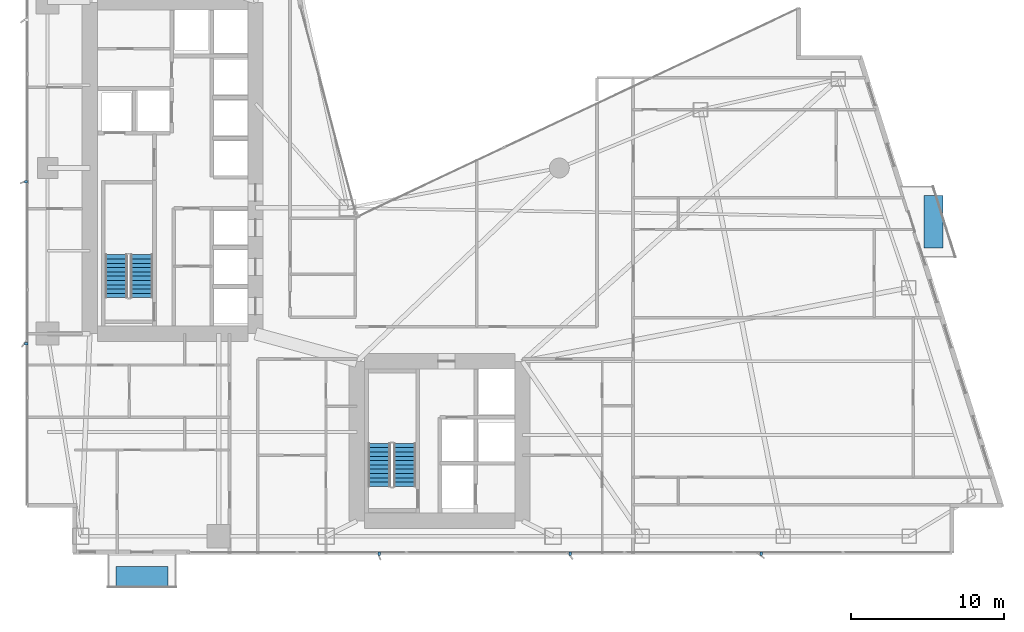
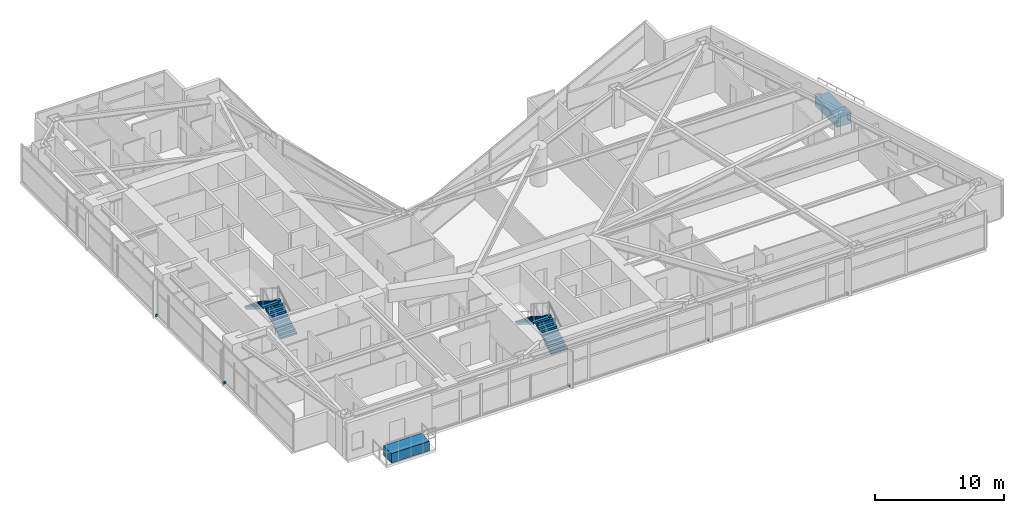
# One storey, part 25 of 28: 7 discrete accessories, 4 stair flights, 2 elements without a shape of their own.
"""IFC4 building model written with IfcOpenShell, lengths in metres."""

from ifc_helpers import new_model, si_unit, direction, frame, origin, origin_2d, place, context, subcontext, project, spatial, polyline, rectangle, outline, extrude, material, type_object, element, aggregate, save


model = new_model("IFC4")

# Units and contexts
model_context = context("Model", 3, precision=1e-05, world=origin(), true_north=direction((0.0, 1.0)))
body_context = subcontext(model_context, "Body", "Model", "MODEL_VIEW")
ifc_project = project(units=[si_unit("LENGTHUNIT", "METRE"), si_unit("AREAUNIT", "SQUARE_METRE"), si_unit("VOLUMEUNIT", "CUBIC_METRE"), si_unit("PLANEANGLEUNIT", "RADIAN"), si_unit("MASSUNIT", "GRAM", prefix="KILO")], contexts=[model_context])

# Site, building, storey
site_placement = place(None, origin())
site = spatial("IfcSite", under=ifc_project, at=site_placement, CompositionType="ELEMENT")
building_placement = place(site_placement, origin())
building = spatial("IfcBuilding", under=site, at=building_placement, Name="Calvorn Quay Hotel", CompositionType="ELEMENT")
storey_placement = place(building_placement, frame((0.0, 0.0, 42.199951171875)))
storey = spatial("IfcBuildingStorey", under=building, at=storey_placement, Name="L09", CompositionType="ELEMENT", Elevation=42.199951171875)

# Stair, stair flights
ifc_material_1 = material(Name="Concrete C40", Category="concrete")
stair_type = type_object("IfcStairType", Name="STR-CORE-DOGLEG", PredefinedType="HALF_TURN_STAIR", material=ifc_material_1)
stair_1_placement = place(storey_placement, origin())
stair_1 = element("IfcStair", 1, at=stair_1_placement, inside=storey, type_object=stair_type, Name="L09 ST-W", PredefinedType="HALF_TURN_STAIR")
ifc_material_2 = material(Name="Concrete C40", Category="concrete")
stair_flight_type = type_object("IfcStairFlightType", Name="FLT-CORE-1550", PredefinedType="STRAIGHT", material=ifc_material_2)
stair_flight_1_placement = place(storey_placement, frame((7.574951171875, 19.14990234375, 0.0), z_axis=(0.0, 0.0, 1.0), x_axis=(0.0, 1.0, 0.0)))
stair_flight_1 = element("IfcStairFlight", 2, at=stair_flight_1_placement, type_object=stair_flight_type, Name="ST-W flight 1", NumberOfRisers=11, NumberOfTreads=10, PredefinedType="STRAIGHT", RiserHeight=0.172727273, TreadLength=0.28, context=body_context, shape_type="SweptSolid", body=[
    extrude(outline(polyline([(0.0, 0.0), (0.0, 0.172607421875), (0.280029296875, 0.172607421875), (0.280029296875, 0.345458984375), (0.56005859375, 0.345458984375), (0.56005859375, 0.51806640625), (0.840087890625, 0.51806640625), (0.840087890625, 0.69091796875), (1.1201171875, 0.69091796875), (1.1201171875, 0.863525390625), (1.39990234375, 0.863525390625), (1.39990234375, 1.036376953125), (1.679931640625, 1.036376953125), (1.679931640625, 1.208984375), (1.9599609375, 1.208984375), (1.9599609375, 1.3818359375), (2.239990234375, 1.3818359375), (2.239990234375, 1.554443359375), (2.52001953125, 1.554443359375), (2.52001953125, 1.727294921875), (2.800048828125, 1.727294921875), (2.800048828125, 1.89990234375), (2.800048828125, 1.551025390625), (0.285400390625, 0.0), (0.0, 0.0)])), frame((0.0, 0.72509765625, 0.0), z_axis=(0.0, -1.0, 0.0), x_axis=(1.0, 0.0, 0.0)), (0.0, 0.0, 1.0), 1.449951171875),
])
stair_flight_2_placement = place(storey_placement, frame((5.925048828125, 21.949951171875, 1.900146484375), z_axis=(0.0, 0.0, 1.0), x_axis=(0.0, -1.0, 0.0)))
stair_flight_2 = element("IfcStairFlight", 3, at=stair_flight_2_placement, type_object=stair_flight_type, Name="ST-W flight 2", NumberOfRisers=11, NumberOfTreads=10, PredefinedType="STRAIGHT", RiserHeight=0.172727273, TreadLength=0.28, context=body_context, shape_type="SweptSolid", body=[
    extrude(outline(polyline([(0.0, 0.0), (0.0, 0.172607421875), (0.280029296875, 0.172607421875), (0.280029296875, 0.345458984375), (0.56005859375, 0.345458984375), (0.56005859375, 0.51806640625), (0.840087890625, 0.51806640625), (0.840087890625, 0.69091796875), (1.1201171875, 0.69091796875), (1.1201171875, 0.863525390625), (1.39990234375, 0.863525390625), (1.39990234375, 1.036376953125), (1.679931640625, 1.036376953125), (1.679931640625, 1.208984375), (1.9599609375, 1.208984375), (1.9599609375, 1.3818359375), (2.239990234375, 1.3818359375), (2.239990234375, 1.554443359375), (2.52001953125, 1.554443359375), (2.52001953125, 1.727294921875), (2.800048828125, 1.727294921875), (2.800048828125, 1.89990234375), (2.800048828125, 1.551025390625), (0.285400390625, 0.0), (0.0, 0.0)])), frame((0.0, 0.72509765625, 0.0), z_axis=(0.0, -1.0, 0.0), x_axis=(1.0, 0.0, 0.0)), (0.0, 0.0, 1.0), 1.449951171875),
])
aggregate(stair_1, [stair_flight_1, stair_flight_2])

stair_2_placement = place(storey_placement, origin())
stair_2 = element("IfcStair", 4, at=stair_2_placement, inside=storey, type_object=stair_type, Name="L09 ST-E", PredefinedType="HALF_TURN_STAIR")
stair_flight_3_placement = place(storey_placement, frame((24.72509765625, 6.85009765625, 0.0), z_axis=(0.0, 0.0, 1.0), x_axis=(0.0, 1.0, 0.0)))
stair_flight_3 = element("IfcStairFlight", 5, at=stair_flight_3_placement, type_object=stair_flight_type, Name="ST-E flight 1", NumberOfRisers=11, NumberOfTreads=10, PredefinedType="STRAIGHT", RiserHeight=0.172727273, TreadLength=0.28, context=body_context, shape_type="SweptSolid", body=[
    extrude(outline(polyline([(0.0, 0.0), (0.0, 0.172607421875), (0.280029296875, 0.172607421875), (0.280029296875, 0.345458984375), (0.56005859375, 0.345458984375), (0.56005859375, 0.51806640625), (0.840087890625, 0.51806640625), (0.840087890625, 0.69091796875), (1.1201171875, 0.69091796875), (1.1201171875, 0.863525390625), (1.39990234375, 0.863525390625), (1.39990234375, 1.036376953125), (1.679931640625, 1.036376953125), (1.679931640625, 1.208984375), (1.9599609375, 1.208984375), (1.9599609375, 1.3818359375), (2.239990234375, 1.3818359375), (2.239990234375, 1.554443359375), (2.52001953125, 1.554443359375), (2.52001953125, 1.727294921875), (2.800048828125, 1.727294921875), (2.800048828125, 1.89990234375), (2.800048828125, 1.551025390625), (0.285400390625, 0.0), (0.0, 0.0)])), frame((0.0, 0.72509765625, 0.0), z_axis=(0.0, -1.0, 0.0), x_axis=(1.0, 0.0, 0.0)), (0.0, 0.0, 1.0), 1.449951171875),
])
stair_flight_4_placement = place(storey_placement, frame((23.074951171875, 9.64990234375, 1.900146484375), z_axis=(0.0, 0.0, 1.0), x_axis=(0.0, -1.0, 0.0)))
stair_flight_4 = element("IfcStairFlight", 6, at=stair_flight_4_placement, type_object=stair_flight_type, Name="ST-E flight 2", NumberOfRisers=11, NumberOfTreads=10, PredefinedType="STRAIGHT", RiserHeight=0.172727273, TreadLength=0.28, context=body_context, shape_type="SweptSolid", body=[
    extrude(outline(polyline([(0.0, 0.0), (0.0, 0.172607421875), (0.280029296875, 0.172607421875), (0.280029296875, 0.345458984375), (0.56005859375, 0.345458984375), (0.56005859375, 0.51806640625), (0.840087890625, 0.51806640625), (0.840087890625, 0.69091796875), (1.1201171875, 0.69091796875), (1.1201171875, 0.863525390625), (1.39990234375, 0.863525390625), (1.39990234375, 1.036376953125), (1.679931640625, 1.036376953125), (1.679931640625, 1.208984375), (1.9599609375, 1.208984375), (1.9599609375, 1.3818359375), (2.239990234375, 1.3818359375), (2.239990234375, 1.554443359375), (2.52001953125, 1.554443359375), (2.52001953125, 1.727294921875), (2.800048828125, 1.727294921875), (2.800048828125, 1.89990234375), (2.800048828125, 1.551025390625), (0.285400390625, 0.0), (0.0, 0.0)])), frame((0.0, 0.72509765625, 0.0), z_axis=(0.0, -1.0, 0.0), x_axis=(1.0, 0.0, 0.0)), (0.0, 0.0, 1.0), 1.449951171875),
])
aggregate(stair_2, [stair_flight_3, stair_flight_4])

# Discrete accessories
ifc_material_3 = material(Name="Steel Q355B", Category="steel")
discrete_accessory_type_1 = type_object("IfcDiscreteAccessoryType", Name="ACC-FIN-BRACKET", PredefinedType="BRACKET", material=ifc_material_3)
for number, where, z_axis, x_axis, name in (
    (7, (0.06005859375, 16.14990234375, 0.0302734375), (0.0, 0.0, 1.0), (1.0, 0.0, 0.0), "Fin Anchor Bracket L09-W01"),
    (8, (0.06005859375, 26.699951171875, 0.0302734375), (0.0, 0.0, 1.0), (1.0, 0.0, 0.0), "Fin Anchor Bracket L09-W02"),
    (9, (23.050048828125, 2.4599609375, 0.0302734375), (0.0, 0.0, 1.0), (0.0, 1.0, 0.0), "Fin Anchor Bracket L09-S01"),
    (10, (35.5, 2.4599609375, 0.0302734375), (0.0, 0.0, 1.0), (0.0, 1.0, 0.0), "Fin Anchor Bracket L09-S02"),
    (11, (47.949951171875, 2.4599609375, 0.0302734375), (0.0, 0.0, 1.0), (0.0, 1.0, 0.0), "Fin Anchor Bracket L09-S03"),
):
    element("IfcDiscreteAccessory", number, at=place(storey_placement, frame(where, z_axis=z_axis, x_axis=x_axis)), inside=storey, type_object=discrete_accessory_type_1, Name=name, PredefinedType="BRACKET", context=body_context, shape_type="SweptSolid", body=[
        extrude(rectangle(XDim=0.239990234375, YDim=0.159912109375, at=origin_2d()), origin(), (0.0, 0.0, 1.0), 0.179931640625),
    ])
ifc_material_4 = material(Name="Precast concrete C40", Category="concrete")
discrete_accessory_type_2 = type_object("IfcDiscreteAccessoryType", Name="ACC-TREE-PLANTER", PredefinedType="USERDEFINED", material=ifc_material_4)
discrete_accessory_1_placement = place(storey_placement, frame((59.180908203125, 24.10009765625, 0.0), z_axis=(0.0, 0.0, 1.0), x_axis=(1.0, 0.0, 0.0)))
element("IfcDiscreteAccessory", 12, at=discrete_accessory_1_placement, inside=storey, type_object=discrete_accessory_type_2, Name="Subtropical Tree Structural Planter L09-BALC-E", ObjectType="PLANTER", PredefinedType="USERDEFINED", context=body_context, shape_type="SweptSolid", body=[
    extrude(rectangle(XDim=1.25, YDim=3.39990234375, at=origin_2d()), origin(), (0.0, 0.0, 1.0), 0.89990234375),
])
discrete_accessory_2_placement = place(storey_placement, frame((7.60009765625, 0.989990234375, 0.0), z_axis=(0.0, 0.0, 1.0), x_axis=(1.0, 0.0, 0.0)))
element("IfcDiscreteAccessory", 13, at=discrete_accessory_2_placement, inside=storey, type_object=discrete_accessory_type_2, Name="Subtropical Tree Structural Planter L09-BALC-S", ObjectType="PLANTER", PredefinedType="USERDEFINED", context=body_context, shape_type="SweptSolid", body=[
    extrude(rectangle(XDim=3.39990234375, YDim=1.25, at=origin_2d()), origin(), (0.0, 0.0, 1.0), 0.89990234375),
])

save(model, "model.ifc")
